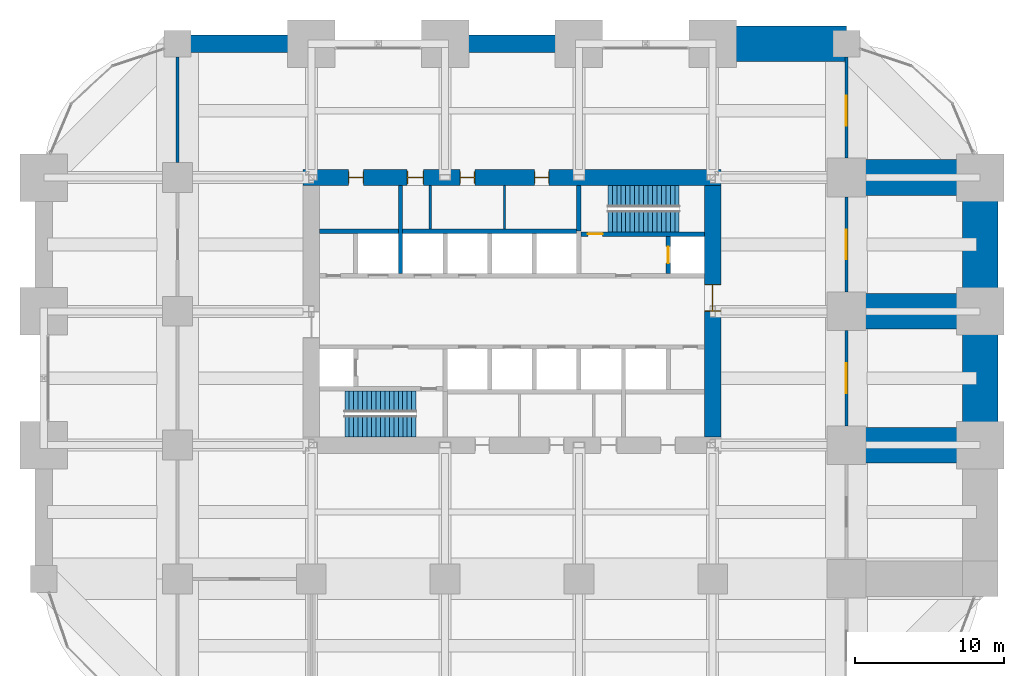
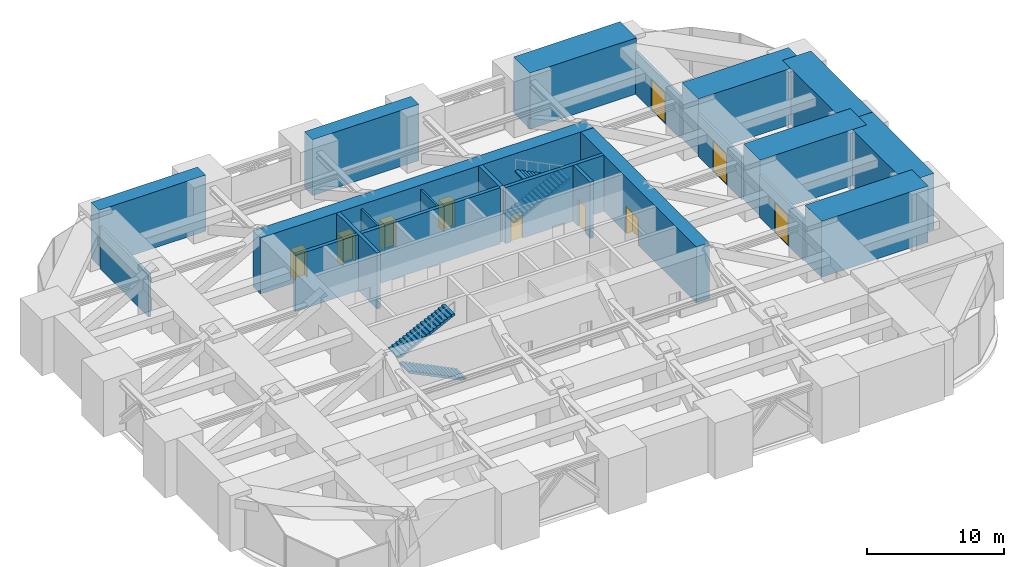
# One storey, part 37 of 38: 21 walls, 10 doors, 4 stair flights, 10 openings, 2 elements without a shape of their own.
"""IFC4 building model written with IfcOpenShell, lengths in metres."""

from ifc_helpers import new_model, si_unit, direction, frame, frame_2d, origin, place, context, subcontext, project, spatial, polyline, rectangle, outline, extrude, material, layer, layer_set, type_object, element, fill, aggregate, save


model = new_model("IFC4")

# Units and contexts
model_context = context("Model", 3, precision=1e-05, world=origin(), true_north=direction((0.0, 1.0)))
body_context = subcontext(model_context, "Body", "Model", "MODEL_VIEW")
ifc_project = project(units=[si_unit("LENGTHUNIT", "METRE"), si_unit("AREAUNIT", "SQUARE_METRE"), si_unit("VOLUMEUNIT", "CUBIC_METRE"), si_unit("PLANEANGLEUNIT", "RADIAN"), si_unit("MASSUNIT", "GRAM", prefix="KILO")], contexts=[model_context])

# Site, building, storey
site_placement = place(None, origin())
site = spatial("IfcSite", under=ifc_project, at=site_placement, CompositionType="ELEMENT")
building_placement = place(site_placement, origin())
building = spatial("IfcBuilding", under=site, at=building_placement, Name="Zorevar Civic Tower", CompositionType="ELEMENT")
storey_placement = place(building_placement, frame((0.0, 0.0, 157.199951171875)))
storey = spatial("IfcBuildingStorey", under=building, at=storey_placement, Name="L38", CompositionType="ELEMENT", Elevation=157.199951171875)

# Walls
ifc_material_1 = material(Name="Concrete C50/60", Category="concrete")
ifc_layer_1 = layer(ifc_material_1, 1.199951171875)
ifc_layer_set_1 = layer_set([ifc_layer_1], Name="Belt wall 1200")
wall_type_1 = type_object("IfcWallType", Name="Belt wall 1200", PredefinedType="SHEAR", material=ifc_layer_set_1)
for number, where, z_axis, x_axis, name in (
    (1, (9.0, 45.0, 0.0), (0.0, 0.0, 1.0), (1.0, 0.0, 0.0), "Belt wall N L38"),
    (2, (27.0, 45.0, 0.0), (0.0, 0.0, 1.0), (1.0, 0.0, 0.0), "Belt wall N L38"),
):
    element("IfcWall", number, at=place(storey_placement, frame(where, z_axis=z_axis, x_axis=x_axis)), inside=storey, type_object=wall_type_1, Name=name, PredefinedType="SHEAR", context=body_context, shape_type="SweptSolid", body=[
        extrude(rectangle(XDim=9.0, YDim=1.199951171875, at=frame_2d((4.5, 0.0))), origin(), (0.0, 0.0, 1.0), 5.0),
    ])
ifc_material_2 = material(Name="Concrete blockwork", Category="masonry")
ifc_layer_2 = layer(ifc_material_2, 0.199951171875)
ifc_layer_set_2 = layer_set([ifc_layer_2], Name="Blockwork wall 200")
wall_type_2 = type_object("IfcWallType", Name="Blockwork wall 200", PredefinedType="SOLIDWALL", material=ifc_layer_set_2)
wall_1_placement = place(storey_placement, frame((9.0, 37.0, 0.0), z_axis=(0.0, 0.0, 1.0), x_axis=(0.0, 1.0, 0.0)))
element("IfcWall", 3, at=wall_1_placement, inside=storey, type_object=wall_type_2, Name="Blockwork wall 200 L38", PredefinedType="SOLIDWALL", context=body_context, shape_type="SweptSolid", body=[
    extrude(rectangle(XDim=7.10009765625, YDim=0.199951171875, at=frame_2d((3.550048828125, 0.0))), origin(), (0.0, 0.0, 1.0), 3.800048828125),
])

# Wall, opening, door
wall_2_placement = place(storey_placement, frame((54.0, 19.300048828125, 0.0), z_axis=(0.0, 0.0, 1.0), x_axis=(0.0, 1.0, 0.0)))
wall_2 = element("IfcWall", 4, at=wall_2_placement, inside=storey, type_object=wall_type_2, Name="Blockwork wall 200 L38", PredefinedType="SOLIDWALL", context=body_context, shape_type="SweptSolid", body=[
    extrude(rectangle(XDim=6.39990234375, YDim=0.199951171875, at=frame_2d((3.199951171875, 0.0))), origin(), (0.0, 0.0, 1.0), 3.800048828125),
])
opening_1_placement = place(wall_2_placement, frame((2.199951171875, 0.0, 0.0)))
opening_1 = element("IfcOpeningElement", 5, at=opening_1_placement, cuts=wall_2, Name="Opening L38.20", PredefinedType="OPENING", context=body_context, shape_type="SweptSolid", body=[
    extrude(rectangle(XDim=2.0, YDim=2.699951171875, at=frame_2d((1.0, 1.35009765625))), frame((0.0, 0.10986328125, 0.0), z_axis=(0.0, -1.0, 0.0), x_axis=(1.0, 0.0, 0.0)), (0.0, 0.0, 1.0), 0.219970703125),
])
ifc_material_3 = material(Name="Steel door set", Category="steel")
door_type_1 = type_object("IfcDoorType", Name="Plant room door PD1 2000x2700", OperationType="DOUBLE_DOOR_SINGLE_SWING", PredefinedType="DOOR", material=ifc_material_3)
door_1_placement = place(opening_1_placement, origin())
door_1 = element("IfcDoor", 6, at=door_1_placement, inside=storey, type_object=door_type_1, Name="Door L38 D12", OperationType="DOUBLE_DOOR_SINGLE_SWING", OverallHeight=2.699951171875, OverallWidth=2.0, PredefinedType="DOOR", context=body_context, shape_type="SweptSolid", body=[
    extrude(rectangle(XDim=2.0, YDim=2.699951171875, at=frame_2d((1.0, 1.35009765625))), frame((0.0, 0.030029296875, 0.0), z_axis=(0.0, -1.0, 0.0), x_axis=(1.0, 0.0, 0.0)), (0.0, 0.0, 1.0), 0.06005859375),
])
fill(opening_1, door_1)

wall_3_placement = place(storey_placement, frame((54.0, 28.300048828125, 0.0), z_axis=(0.0, 0.0, 1.0), x_axis=(0.0, 1.0, 0.0)))
wall_3 = element("IfcWall", 7, at=wall_3_placement, inside=storey, type_object=wall_type_2, Name="Blockwork wall 200 L38", PredefinedType="SOLIDWALL", context=body_context, shape_type="SweptSolid", body=[
    extrude(rectangle(XDim=6.39990234375, YDim=0.199951171875, at=frame_2d((3.199951171875, 0.0))), origin(), (0.0, 0.0, 1.0), 3.800048828125),
])
opening_2_placement = place(wall_3_placement, frame((2.199951171875, 0.0, 0.0)))
opening_2 = element("IfcOpeningElement", 8, at=opening_2_placement, cuts=wall_3, Name="Opening L38.21", PredefinedType="OPENING", context=body_context, shape_type="SweptSolid", body=[
    extrude(rectangle(XDim=2.0, YDim=2.699951171875, at=frame_2d((1.0, 1.35009765625))), frame((0.0, 0.10986328125, 0.0), z_axis=(0.0, -1.0, 0.0), x_axis=(1.0, 0.0, 0.0)), (0.0, 0.0, 1.0), 0.219970703125),
])
door_2_placement = place(opening_2_placement, origin())
door_2 = element("IfcDoor", 9, at=door_2_placement, inside=storey, type_object=door_type_1, Name="Door L38 D13", OperationType="DOUBLE_DOOR_SINGLE_SWING", OverallHeight=2.699951171875, OverallWidth=2.0, PredefinedType="DOOR", context=body_context, shape_type="SweptSolid", body=[
    extrude(rectangle(XDim=2.0, YDim=2.699951171875, at=frame_2d((1.0, 1.35009765625))), frame((0.0, 0.030029296875, 0.0), z_axis=(0.0, -1.0, 0.0), x_axis=(1.0, 0.0, 0.0)), (0.0, 0.0, 1.0), 0.06005859375),
])
fill(opening_2, door_2)

wall_4_placement = place(storey_placement, frame((54.0, 37.300048828125, 0.0), z_axis=(0.0, 0.0, 1.0), x_axis=(0.0, 1.0, 0.0)))
wall_4 = element("IfcWall", 10, at=wall_4_placement, inside=storey, type_object=wall_type_2, Name="Blockwork wall 200 L38", PredefinedType="SOLIDWALL", context=body_context, shape_type="SweptSolid", body=[
    extrude(rectangle(XDim=6.800048828125, YDim=0.199951171875, at=frame_2d((3.39990234375, 0.0))), origin(), (0.0, 0.0, 1.0), 3.800048828125),
])
opening_3_placement = place(wall_4_placement, frame((2.199951171875, 0.0, 0.0)))
opening_3 = element("IfcOpeningElement", 11, at=opening_3_placement, cuts=wall_4, Name="Opening L38.22", PredefinedType="OPENING", context=body_context, shape_type="SweptSolid", body=[
    extrude(rectangle(XDim=2.0, YDim=2.699951171875, at=frame_2d((1.0, 1.35009765625))), frame((0.0, 0.10986328125, 0.0), z_axis=(0.0, -1.0, 0.0), x_axis=(1.0, 0.0, 0.0)), (0.0, 0.0, 1.0), 0.219970703125),
])
door_3_placement = place(opening_3_placement, origin())
door_3 = element("IfcDoor", 12, at=door_3_placement, inside=storey, type_object=door_type_1, Name="Door L38 D14", OperationType="DOUBLE_DOOR_SINGLE_SWING", OverallHeight=2.699951171875, OverallWidth=2.0, PredefinedType="DOOR", context=body_context, shape_type="SweptSolid", body=[
    extrude(rectangle(XDim=2.0, YDim=2.699951171875, at=frame_2d((1.0, 1.35009765625))), frame((0.0, 0.030029296875, 0.0), z_axis=(0.0, -1.0, 0.0), x_axis=(1.0, 0.0, 0.0)), (0.0, 0.0, 1.0), 0.06005859375),
])
fill(opening_3, door_3)

# Wall, openings, doors
ifc_material_4 = material(Name="Concrete C50/60", Category="concrete")
ifc_layer_3 = layer(ifc_material_4, 1.10009765625)
ifc_layer_set_3 = layer_set([ifc_layer_3], Name="Core wall 1100")
wall_type_3 = type_object("IfcWallType", Name="Core wall 1100", PredefinedType="SHEAR", material=ifc_layer_set_3)
wall_5_placement = place(storey_placement, frame((45.550048828125, 36.0, 0.0), z_axis=(0.0, 0.0, 1.0), x_axis=(-1.0, 0.0, 0.0)))
wall_5 = element("IfcWall", 13, at=wall_5_placement, inside=storey, type_object=wall_type_3, Name="Core wall N L38", PredefinedType="SHEAR", context=body_context, shape_type="SweptSolid", body=[
    extrude(rectangle(XDim=28.10009765625, YDim=1.10009765625, at=frame_2d((14.050048828125, 0.0))), origin(), (0.0, 0.0, 1.0), 5.0),
])
opening_4_placement = place(wall_5_placement, frame((11.550048828125, 0.0, 0.0)))
opening_4 = element("IfcOpeningElement", 14, at=opening_4_placement, cuts=wall_5, Name="Opening L38.07", PredefinedType="OPENING", context=body_context, shape_type="SweptSolid", body=[
    extrude(rectangle(XDim=1.0, YDim=2.39990234375, at=frame_2d((0.5, 1.199951171875))), frame((0.0, 0.56005859375, 0.0), z_axis=(0.0, -1.0, 0.0), x_axis=(1.0, 0.0, 0.0)), (0.0, 0.0, 1.0), 1.1201171875),
])
opening_5_placement = place(wall_5_placement, frame((16.550048828125, 0.0, 0.0)))
opening_5 = element("IfcOpeningElement", 15, at=opening_5_placement, cuts=wall_5, Name="Opening L38.08", PredefinedType="OPENING", context=body_context, shape_type="SweptSolid", body=[
    extrude(rectangle(XDim=1.0, YDim=2.39990234375, at=frame_2d((0.5, 1.199951171875))), frame((0.0, 0.56005859375, 0.0), z_axis=(0.0, -1.0, 0.0), x_axis=(1.0, 0.0, 0.0)), (0.0, 0.0, 1.0), 1.1201171875),
])
opening_6_placement = place(wall_5_placement, frame((20.0, 0.0, 0.0)))
opening_6 = element("IfcOpeningElement", 16, at=opening_6_placement, cuts=wall_5, Name="Opening L38.09", PredefinedType="OPENING", context=body_context, shape_type="SweptSolid", body=[
    extrude(rectangle(XDim=1.10009765625, YDim=2.39990234375, at=frame_2d((0.550048828125, 1.199951171875))), frame((0.0, 0.56005859375, 0.0), z_axis=(0.0, -1.0, 0.0), x_axis=(1.0, 0.0, 0.0)), (0.0, 0.0, 1.0), 1.1201171875),
])
opening_7_placement = place(wall_5_placement, frame((24.050048828125, 0.0, 0.0)))
opening_7 = element("IfcOpeningElement", 17, at=opening_7_placement, cuts=wall_5, Name="Opening L38.10", PredefinedType="OPENING", context=body_context, shape_type="SweptSolid", body=[
    extrude(rectangle(XDim=1.0, YDim=2.39990234375, at=frame_2d((0.5, 1.199951171875))), frame((0.0, 0.56005859375, 0.0), z_axis=(0.0, -1.0, 0.0), x_axis=(1.0, 0.0, 0.0)), (0.0, 0.0, 1.0), 1.1201171875),
])
ifc_material_5 = material(Name="Timber door set", Category="wood")
door_type_2 = type_object("IfcDoorType", Name="Door D1 1000x2400", OperationType="SINGLE_SWING_LEFT", PredefinedType="DOOR", material=ifc_material_5)
door_4_placement = place(opening_4_placement, origin())
door_4 = element("IfcDoor", 18, at=door_4_placement, inside=storey, type_object=door_type_2, Name="Door L38 06", OperationType="SINGLE_SWING_LEFT", OverallHeight=2.39990234375, OverallWidth=1.0, PredefinedType="DOOR", context=body_context, shape_type="SweptSolid", body=[
    extrude(rectangle(XDim=1.0, YDim=2.39990234375, at=frame_2d((0.5, 1.199951171875))), frame((0.0, 0.02490234375, 0.0), z_axis=(0.0, -1.0, 0.0), x_axis=(1.0, 0.0, 0.0)), (0.0, 0.0, 1.0), 0.050048828125),
    extrude(rectangle(XDim=0.04, YDim=2.39990234375, at=frame_2d((0.02001953125, 1.199951171875))), frame((0.0, 0.39990234375, 0.0), z_axis=(0.0, -1.0, 0.0), x_axis=(1.0, 0.0, 0.0)), (0.0, 0.0, 1.0), 0.800048828125),
    extrude(rectangle(XDim=0.04, YDim=2.39990234375, at=frame_2d((0.97998046875, 1.199951171875))), frame((0.0, 0.39990234375, 0.0), z_axis=(0.0, -1.0, 0.0), x_axis=(1.0, 0.0, 0.0)), (0.0, 0.0, 1.0), 0.800048828125),
    extrude(rectangle(XDim=1.0, YDim=0.04, at=frame_2d((0.5, 2.3798828125))), frame((0.0, 0.39990234375, 0.0), z_axis=(0.0, -1.0, 0.0), x_axis=(1.0, 0.0, 0.0)), (0.0, 0.0, 1.0), 0.800048828125),
])
fill(opening_4, door_4)
door_5_placement = place(opening_5_placement, origin())
door_5 = element("IfcDoor", 19, at=door_5_placement, inside=storey, type_object=door_type_2, Name="Door L38 07", OperationType="SINGLE_SWING_RIGHT", OverallHeight=2.39990234375, OverallWidth=1.0, PredefinedType="DOOR", context=body_context, shape_type="SweptSolid", body=[
    extrude(rectangle(XDim=1.0, YDim=2.39990234375, at=frame_2d((0.5, 1.199951171875))), frame((0.0, 0.02490234375, 0.0), z_axis=(0.0, -1.0, 0.0), x_axis=(1.0, 0.0, 0.0)), (0.0, 0.0, 1.0), 0.050048828125),
    extrude(rectangle(XDim=0.04, YDim=2.39990234375, at=frame_2d((0.02001953125, 1.199951171875))), frame((0.0, 0.39990234375, 0.0), z_axis=(0.0, -1.0, 0.0), x_axis=(1.0, 0.0, 0.0)), (0.0, 0.0, 1.0), 0.800048828125),
    extrude(rectangle(XDim=0.04, YDim=2.39990234375, at=frame_2d((0.97998046875, 1.199951171875))), frame((0.0, 0.39990234375, 0.0), z_axis=(0.0, -1.0, 0.0), x_axis=(1.0, 0.0, 0.0)), (0.0, 0.0, 1.0), 0.800048828125),
    extrude(rectangle(XDim=1.0, YDim=0.04, at=frame_2d((0.5, 2.3798828125))), frame((0.0, 0.39990234375, 0.0), z_axis=(0.0, -1.0, 0.0), x_axis=(1.0, 0.0, 0.0)), (0.0, 0.0, 1.0), 0.800048828125),
])
fill(opening_5, door_5)
door_6_placement = place(opening_7_placement, origin())
door_6 = element("IfcDoor", 20, at=door_6_placement, inside=storey, type_object=door_type_2, Name="Door L38 09", OperationType="SINGLE_SWING_RIGHT", OverallHeight=2.39990234375, OverallWidth=1.0, PredefinedType="DOOR", context=body_context, shape_type="SweptSolid", body=[
    extrude(rectangle(XDim=1.0, YDim=2.39990234375, at=frame_2d((0.5, 1.199951171875))), frame((0.0, 0.02490234375, 0.0), z_axis=(0.0, -1.0, 0.0), x_axis=(1.0, 0.0, 0.0)), (0.0, 0.0, 1.0), 0.050048828125),
    extrude(rectangle(XDim=0.04, YDim=2.39990234375, at=frame_2d((0.02001953125, 1.199951171875))), frame((0.0, 0.39990234375, 0.0), z_axis=(0.0, -1.0, 0.0), x_axis=(1.0, 0.0, 0.0)), (0.0, 0.0, 1.0), 0.800048828125),
    extrude(rectangle(XDim=0.04, YDim=2.39990234375, at=frame_2d((0.97998046875, 1.199951171875))), frame((0.0, 0.39990234375, 0.0), z_axis=(0.0, -1.0, 0.0), x_axis=(1.0, 0.0, 0.0)), (0.0, 0.0, 1.0), 0.800048828125),
    extrude(rectangle(XDim=1.0, YDim=0.04, at=frame_2d((0.5, 2.3798828125))), frame((0.0, 0.39990234375, 0.0), z_axis=(0.0, -1.0, 0.0), x_axis=(1.0, 0.0, 0.0)), (0.0, 0.0, 1.0), 0.800048828125),
])
fill(opening_7, door_6)
ifc_material_6 = material(Name="Timber door set", Category="wood")
door_type_3 = type_object("IfcDoorType", Name="Door D5 1100x2400", OperationType="SINGLE_SWING_LEFT", PredefinedType="DOOR", material=ifc_material_6)
door_7_placement = place(opening_6_placement, origin())
door_7 = element("IfcDoor", 21, at=door_7_placement, inside=storey, type_object=door_type_3, Name="Door L38 08", OperationType="SINGLE_SWING_RIGHT", OverallHeight=2.39990234375, OverallWidth=1.10009765625, PredefinedType="DOOR", context=body_context, shape_type="SweptSolid", body=[
    extrude(rectangle(XDim=1.10009765625, YDim=2.39990234375, at=frame_2d((0.550048828125, 1.199951171875))), frame((0.0, 0.02490234375, 0.0), z_axis=(0.0, -1.0, 0.0), x_axis=(1.0, 0.0, 0.0)), (0.0, 0.0, 1.0), 0.050048828125),
    extrude(rectangle(XDim=0.04, YDim=2.39990234375, at=frame_2d((0.02001953125, 1.199951171875))), frame((0.0, 0.43994140625, 0.0), z_axis=(0.0, -1.0, 0.0), x_axis=(1.0, 0.0, 0.0)), (0.0, 0.0, 1.0), 0.880126953125),
    extrude(rectangle(XDim=0.04, YDim=2.39990234375, at=frame_2d((1.080078125, 1.199951171875))), frame((0.0, 0.43994140625, 0.0), z_axis=(0.0, -1.0, 0.0), x_axis=(1.0, 0.0, 0.0)), (0.0, 0.0, 1.0), 0.880126953125),
    extrude(rectangle(XDim=1.10009765625, YDim=0.04, at=frame_2d((0.550048828125, 2.3798828125))), frame((0.0, 0.43994140625, 0.0), z_axis=(0.0, -1.0, 0.0), x_axis=(1.0, 0.0, 0.0)), (0.0, 0.0, 1.0), 0.880126953125),
])
fill(opening_6, door_7)

# Wall, opening, door
wall_6_placement = place(storey_placement, frame((45.0, 18.550048828125, 0.0), z_axis=(0.0, 0.0, 1.0), x_axis=(0.0, 1.0, 0.0)))
wall_6 = element("IfcWall", 22, at=wall_6_placement, inside=storey, type_object=wall_type_3, Name="Core wall E L38", PredefinedType="SHEAR", context=body_context, shape_type="SweptSolid", body=[
    extrude(rectangle(XDim=16.89990234375, YDim=1.10009765625, at=frame_2d((8.449951171875, 0.0))), origin(), (0.0, 0.0, 1.0), 5.0),
])
opening_8_placement = place(wall_6_placement, frame((8.449951171875, 0.0, 0.0)))
opening_8 = element("IfcOpeningElement", 23, at=opening_8_placement, cuts=wall_6, Name="Opening L38.02", PredefinedType="OPENING", context=body_context, shape_type="SweptSolid", body=[
    extrude(rectangle(XDim=1.800048828125, YDim=2.39990234375, at=frame_2d((0.89990234375, 1.199951171875))), frame((0.0, 0.56005859375, 0.0), z_axis=(0.0, -1.0, 0.0), x_axis=(1.0, 0.0, 0.0)), (0.0, 0.0, 1.0), 1.1201171875),
])
ifc_material_7 = material(Name="Steel door set", Category="steel")
door_type_4 = type_object("IfcDoorType", Name="Fire door FD2 1800x2400", OperationType="DOUBLE_DOOR_DOUBLE_SWING", PredefinedType="DOOR", material=ifc_material_7)
door_8_placement = place(opening_8_placement, origin())
door_8 = element("IfcDoor", 24, at=door_8_placement, inside=storey, type_object=door_type_4, Name="Door L38 01", OperationType="DOUBLE_DOOR_DOUBLE_SWING", OverallHeight=2.39990234375, OverallWidth=1.800048828125, PredefinedType="DOOR", context=body_context, shape_type="SweptSolid", body=[
    extrude(rectangle(XDim=1.800048828125, YDim=2.39990234375, at=frame_2d((0.89990234375, 1.199951171875))), frame((0.0, 0.030029296875, 0.0), z_axis=(0.0, -1.0, 0.0), x_axis=(1.0, 0.0, 0.0)), (0.0, 0.0, 1.0), 0.06005859375),
    extrude(rectangle(XDim=0.04, YDim=2.39990234375, at=frame_2d((0.02001953125, 1.199951171875))), frame((0.0, 0.5498046875, 0.0), z_axis=(0.0, -1.0, 0.0), x_axis=(1.0, 0.0, 0.0)), (0.0, 0.0, 1.0), 1.099609375),
    extrude(rectangle(XDim=0.04, YDim=2.39990234375, at=frame_2d((1.780029296875, 1.199951171875))), frame((0.0, 0.5498046875, 0.0), z_axis=(0.0, -1.0, 0.0), x_axis=(1.0, 0.0, 0.0)), (0.0, 0.0, 1.0), 1.099609375),
    extrude(rectangle(XDim=1.800048828125, YDim=0.04, at=frame_2d((0.89990234375, 2.3798828125))), frame((0.0, 0.5498046875, 0.0), z_axis=(0.0, -1.0, 0.0), x_axis=(1.0, 0.0, 0.0)), (0.0, 0.0, 1.0), 1.099609375),
])
fill(opening_8, door_8)

ifc_material_8 = material(Name="Concrete C40/50", Category="concrete")
ifc_layer_4 = layer(ifc_material_8, 0.300048828125)
ifc_layer_set_4 = layer_set([ifc_layer_4], Name="Inner core wall 300")
wall_type_4 = type_object("IfcWallType", Name="Inner core wall 300", PredefinedType="SHEAR", material=ifc_layer_set_4)
wall_7_placement = place(storey_placement, frame((36.14990234375, 32.199951171875, 0.0), z_axis=(0.0, 0.0, 1.0), x_axis=(1.0, 0.0, 0.0)))
wall_7 = element("IfcWall", 25, at=wall_7_placement, inside=storey, type_object=wall_type_4, Name="Inner core wall N00 L38", PredefinedType="SHEAR", context=body_context, shape_type="SweptSolid", body=[
    extrude(rectangle(XDim=8.300048828125, YDim=0.300048828125, at=frame_2d((4.14990234375, 0.0))), origin(), (0.0, 0.0, 1.0), 5.0),
])
opening_9_placement = place(wall_7_placement, frame((0.449951171875, 0.0, 0.0)))
opening_9 = element("IfcOpeningElement", 26, at=opening_9_placement, cuts=wall_7, Name="Opening L38.12", PredefinedType="OPENING", context=body_context, shape_type="SweptSolid", body=[
    extrude(rectangle(XDim=1.0, YDim=2.39990234375, at=frame_2d((0.5, 1.199951171875))), frame((0.0, 0.159912109375, 0.0), z_axis=(0.0, -1.0, 0.0), x_axis=(1.0, 0.0, 0.0)), (0.0, 0.0, 1.0), 0.320068359375),
])
ifc_material_9 = material(Name="Steel door set", Category="steel")
door_type_5 = type_object("IfcDoorType", Name="Fire door FD1 1000x2400", OperationType="SINGLE_SWING_LEFT", PredefinedType="DOOR", material=ifc_material_9)
door_9_placement = place(opening_9_placement, origin())
door_9 = element("IfcDoor", 27, at=door_9_placement, inside=storey, type_object=door_type_5, Name="Door L38 11", OperationType="SINGLE_SWING_RIGHT", OverallHeight=2.39990234375, OverallWidth=1.0, PredefinedType="DOOR", context=body_context, shape_type="SweptSolid", body=[
    extrude(rectangle(XDim=1.0, YDim=2.39990234375, at=frame_2d((0.5, 1.199951171875))), frame((0.0, 0.030029296875, 0.0), z_axis=(0.0, -1.0, 0.0), x_axis=(1.0, 0.0, 0.0)), (0.0, 0.0, 1.0), 0.06005859375),
])
fill(opening_9, door_9)

# Wall
wall_8_placement = place(storey_placement, frame((36.0, 32.39990234375, 0.0), z_axis=(0.0, 0.0, 1.0), x_axis=(0.0, 1.0, 0.0)))
element("IfcWall", 28, at=wall_8_placement, inside=storey, type_object=wall_type_4, Name="Inner core wall N01 L38", PredefinedType="SHEAR", context=body_context, shape_type="SweptSolid", body=[
    extrude(rectangle(XDim=3.050048828125, YDim=0.300048828125, at=frame_2d((1.52490234375, 0.0))), origin(), (0.0, 0.0, 1.0), 5.0),
])

# Wall, opening, door
wall_9_placement = place(storey_placement, frame((42.0, 29.550048828125, 0.0), z_axis=(0.0, 0.0, 1.0), x_axis=(0.0, 1.0, 0.0)))
wall_9 = element("IfcWall", 29, at=wall_9_placement, inside=storey, type_object=wall_type_4, Name="Inner core wall N02 L38", PredefinedType="SHEAR", context=body_context, shape_type="SweptSolid", body=[
    extrude(rectangle(XDim=2.5, YDim=0.300048828125, at=frame_2d((1.25, 0.0))), origin(), (0.0, 0.0, 1.0), 5.0),
])
opening_10_placement = place(wall_9_placement, frame((0.699951171875, 0.0, 0.0)))
opening_10 = element("IfcOpeningElement", 30, at=opening_10_placement, cuts=wall_9, Name="Opening L38.FL2", PredefinedType="OPENING", context=body_context, shape_type="SweptSolid", body=[
    extrude(rectangle(XDim=1.10009765625, YDim=2.39990234375, at=frame_2d((0.550048828125, 1.199951171875))), frame((0.0, 0.159912109375, 0.0), z_axis=(0.0, -1.0, 0.0), x_axis=(1.0, 0.0, 0.0)), (0.0, 0.0, 1.0), 0.320068359375),
])
ifc_material_10 = material(Name="Steel door set", Category="steel")
door_type_6 = type_object("IfcDoorType", Name="Firefighting lift landing door LD3 1100x2400", OperationType="DOUBLE_DOOR_SLIDING", PredefinedType="DOOR", material=ifc_material_10)
door_10_placement = place(opening_10_placement, origin())
door_10 = element("IfcDoor", 31, at=door_10_placement, inside=storey, type_object=door_type_6, Name="Landing door FL2 L38", OperationType="DOUBLE_DOOR_SLIDING", OverallHeight=2.39990234375, OverallWidth=1.10009765625, PredefinedType="DOOR", context=body_context, shape_type="SweptSolid", body=[
    extrude(rectangle(XDim=1.10009765625, YDim=2.39990234375, at=frame_2d((0.550048828125, 1.199951171875))), frame((0.0, 0.030029296875, 0.0), z_axis=(0.0, -1.0, 0.0), x_axis=(1.0, 0.0, 0.0)), (0.0, 0.0, 1.0), 0.06005859375),
])
fill(opening_10, door_10)

# Walls
wall_10_placement = place(storey_placement, frame((18.550048828125, 32.39990234375, 0.0), z_axis=(0.0, 0.0, 1.0), x_axis=(1.0, 0.0, 0.0)))
element("IfcWall", 32, at=wall_10_placement, inside=storey, type_object=wall_type_4, Name="Inner core wall N04 L38", PredefinedType="SHEAR", context=body_context, shape_type="SweptSolid", body=[
    extrude(rectangle(XDim=17.300048828125, YDim=0.300048828125, at=frame_2d((8.64990234375, 0.0))), origin(), (0.0, 0.0, 1.0), 5.0),
])
wall_11_placement = place(storey_placement, frame((24.0, 29.550048828125, 0.0), z_axis=(0.0, 0.0, 1.0), x_axis=(0.0, 1.0, 0.0)))
element("IfcWall", 33, at=wall_11_placement, inside=storey, type_object=wall_type_4, Name="Inner core wall N08 L38", PredefinedType="SHEAR", context=body_context, shape_type="SweptSolid", body=[
    extrude(rectangle(XDim=5.89990234375, YDim=0.300048828125, at=frame_2d((2.949951171875, 0.0))), origin(), (0.0, 0.0, 1.0), 5.0),
])
ifc_material_11 = material(Name="Concrete C50/60", Category="concrete")
ifc_layer_5 = layer(ifc_material_11, 2.39990234375)
ifc_layer_set_5 = layer_set([ifc_layer_5], Name="Setback tie wall 2400")
wall_type_5 = type_object("IfcWallType", Name="Setback tie wall 2400", PredefinedType="SHEAR", material=ifc_layer_set_5)
for number, where, z_axis, x_axis, name in (
    (34, (45.0, 45.0, 0.0), (0.0, 0.0, 1.0), (1.0, 0.0, 0.0), "Setback belt wall N L38"),
    (35, (63.0, 18.0, 0.0), (0.0, 0.0, 1.0), (0.0, 1.0, 0.0), "Setback belt wall E L38"),
    (36, (63.0, 27.0, 0.0), (0.0, 0.0, 1.0), (0.0, 1.0, 0.0), "Setback belt wall E L38"),
    (37, (54.0, 18.0, 0.0), (0.0, 0.0, 1.0), (1.0, 0.0, 0.0), "Setback tie wall L38"),
    (38, (54.0, 27.0, 0.0), (0.0, 0.0, 1.0), (1.0, 0.0, 0.0), "Setback tie wall L38"),
    (39, (54.0, 36.0, 0.0), (0.0, 0.0, 1.0), (1.0, 0.0, 0.0), "Setback tie wall L38"),
):
    element("IfcWall", number, at=place(storey_placement, frame(where, z_axis=z_axis, x_axis=x_axis)), inside=storey, type_object=wall_type_5, Name=name, PredefinedType="SHEAR", context=body_context, shape_type="SweptSolid", body=[
        extrude(rectangle(XDim=9.0, YDim=2.39990234375, at=frame_2d((4.5, 0.0))), origin(), (0.0, 0.0, 1.0), 5.0),
    ])
ifc_material_12 = material(Name="Gypsum board on steel studs, moisture resistant", Category="steel")
ifc_layer_6 = layer(ifc_material_12, 0.14990234375)
ifc_layer_set_6 = layer_set([ifc_layer_6], Name="WC partition 150")
wall_type_6 = type_object("IfcWallType", Name="WC partition 150", PredefinedType="PARTITIONING", material=ifc_layer_set_6)
for number, where, z_axis, x_axis, name in (
    (40, (31.0, 32.550048828125, 0.0), (0.0, 0.0, 1.0), (0.0, 1.0, 0.0), "WC partition L38"),
    (41, (26.0, 32.550048828125, 0.0), (0.0, 0.0, 1.0), (0.0, 1.0, 0.0), "WC partition L38"),
):
    element("IfcWall", number, at=place(storey_placement, frame(where, z_axis=z_axis, x_axis=x_axis)), inside=storey, type_object=wall_type_6, Name=name, PredefinedType="PARTITIONING", context=body_context, shape_type="SweptSolid", body=[
        extrude(rectangle(XDim=2.89990234375, YDim=0.14990234375, at=frame_2d((1.449951171875, 0.0))), origin(), (0.0, 0.0, 1.0), 4.60009765625),
    ])

# Stair, stair flights
ifc_material_13 = material(Name="Precast concrete C40/50", Category="concrete")
stair_type = type_object("IfcStairType", Name="Stair ST 34R", PredefinedType="HALF_TURN_STAIR", material=ifc_material_13)
stair_1_placement = place(storey_placement, origin())
stair_1 = element("IfcStair", 42, at=stair_1_placement, inside=storey, type_object=stair_type, Name="Stair ST1 L38", PredefinedType="HALF_TURN_STAIR")
ifc_material_14 = material(Name="Precast concrete C40/50", Category="concrete")
stair_flight_type = type_object("IfcStairFlightType", Name="Stair flight", PredefinedType="STRAIGHT", material=ifc_material_14)
stair_flight_1_placement = place(storey_placement, frame((25.050048828125, 19.262451171875, 0.0), z_axis=(0.0, 0.0, 1.0), x_axis=(-1.0, 0.0, 0.0)))
stair_flight_1 = element("IfcStairFlight", 43, at=stair_flight_1_placement, type_object=stair_flight_type, Name="ST1 flight 1", NumberOfRisers=17, NumberOfTreads=16, PredefinedType="STRAIGHT", RiserHeight=0.147058824, TreadLength=0.3, context=body_context, shape_type="SweptSolid", body=[
    extrude(outline(polyline([(0.0, 0.0), (0.0, 0.14697265625), (0.300048828125, 0.14697265625), (0.300048828125, 0.294189453125), (0.60009765625, 0.294189453125), (0.60009765625, 0.441162109375), (0.89990234375, 0.441162109375), (0.89990234375, 0.588134765625), (1.199951171875, 0.588134765625), (1.199951171875, 0.7353515625), (1.5, 0.7353515625), (1.5, 0.88232421875), (1.800048828125, 0.88232421875), (1.800048828125, 1.029296875), (2.10009765625, 1.029296875), (2.10009765625, 1.176513671875), (2.39990234375, 1.176513671875), (2.39990234375, 1.323486328125), (2.699951171875, 1.323486328125), (2.699951171875, 1.470703125), (3.0, 1.470703125), (3.0, 1.61767578125), (3.300048828125, 1.61767578125), (3.300048828125, 1.7646484375), (3.60009765625, 1.7646484375), (3.60009765625, 1.911865234375), (3.89990234375, 1.911865234375), (3.89990234375, 2.058837890625), (4.199951171875, 2.058837890625), (4.199951171875, 2.205810546875), (4.5, 2.205810546875), (4.5, 2.35302734375), (4.800048828125, 2.35302734375), (4.800048828125, 2.5), (4.800048828125, 2.18603515625), (0.340576171875, 0.0), (0.0, 0.0)])), frame((0.0, 0.71240234375, 0.0), z_axis=(0.0, -1.0, 0.0), x_axis=(1.0, 0.0, 0.0)), (0.0, 0.0, 1.0), 1.425048828125),
])
stair_flight_2_placement = place(storey_placement, frame((20.25, 20.9375, 2.5), z_axis=(0.0, 0.0, 1.0), x_axis=(1.0, 0.0, 0.0)))
stair_flight_2 = element("IfcStairFlight", 44, at=stair_flight_2_placement, type_object=stair_flight_type, Name="ST1 flight 2", NumberOfRisers=17, NumberOfTreads=16, PredefinedType="STRAIGHT", RiserHeight=0.147058824, TreadLength=0.3, context=body_context, shape_type="SweptSolid", body=[
    extrude(outline(polyline([(0.0, 0.0), (0.0, 0.14697265625), (0.300048828125, 0.14697265625), (0.300048828125, 0.294189453125), (0.60009765625, 0.294189453125), (0.60009765625, 0.441162109375), (0.89990234375, 0.441162109375), (0.89990234375, 0.588134765625), (1.199951171875, 0.588134765625), (1.199951171875, 0.7353515625), (1.5, 0.7353515625), (1.5, 0.88232421875), (1.800048828125, 0.88232421875), (1.800048828125, 1.029296875), (2.10009765625, 1.029296875), (2.10009765625, 1.176513671875), (2.39990234375, 1.176513671875), (2.39990234375, 1.323486328125), (2.699951171875, 1.323486328125), (2.699951171875, 1.470703125), (3.0, 1.470703125), (3.0, 1.61767578125), (3.300048828125, 1.61767578125), (3.300048828125, 1.7646484375), (3.60009765625, 1.7646484375), (3.60009765625, 1.911865234375), (3.89990234375, 1.911865234375), (3.89990234375, 2.058837890625), (4.199951171875, 2.058837890625), (4.199951171875, 2.205810546875), (4.5, 2.205810546875), (4.5, 2.35302734375), (4.800048828125, 2.35302734375), (4.800048828125, 2.5), (4.800048828125, 2.18603515625), (0.340576171875, 0.0), (0.0, 0.0)])), frame((0.0, 0.71240234375, 0.0), z_axis=(0.0, -1.0, 0.0), x_axis=(1.0, 0.0, 0.0)), (0.0, 0.0, 1.0), 1.425048828125),
])
aggregate(stair_1, [stair_flight_1, stair_flight_2])

stair_2_placement = place(storey_placement, origin())
stair_2 = element("IfcStair", 45, at=stair_2_placement, inside=storey, type_object=stair_type, Name="Stair ST2 L38", PredefinedType="HALF_TURN_STAIR")
stair_flight_3_placement = place(storey_placement, frame((37.949951171875, 34.737548828125, 0.0), z_axis=(0.0, 0.0, 1.0), x_axis=(1.0, 0.0, 0.0)))
stair_flight_3 = element("IfcStairFlight", 46, at=stair_flight_3_placement, type_object=stair_flight_type, Name="ST2 flight 1", NumberOfRisers=17, NumberOfTreads=16, PredefinedType="STRAIGHT", RiserHeight=0.147058824, TreadLength=0.3, context=body_context, shape_type="SweptSolid", body=[
    extrude(outline(polyline([(0.0, 0.0), (0.0, 0.14697265625), (0.300048828125, 0.14697265625), (0.300048828125, 0.294189453125), (0.60009765625, 0.294189453125), (0.60009765625, 0.441162109375), (0.89990234375, 0.441162109375), (0.89990234375, 0.588134765625), (1.199951171875, 0.588134765625), (1.199951171875, 0.7353515625), (1.5, 0.7353515625), (1.5, 0.88232421875), (1.800048828125, 0.88232421875), (1.800048828125, 1.029296875), (2.10009765625, 1.029296875), (2.10009765625, 1.176513671875), (2.39990234375, 1.176513671875), (2.39990234375, 1.323486328125), (2.699951171875, 1.323486328125), (2.699951171875, 1.470703125), (3.0, 1.470703125), (3.0, 1.61767578125), (3.300048828125, 1.61767578125), (3.300048828125, 1.7646484375), (3.60009765625, 1.7646484375), (3.60009765625, 1.911865234375), (3.89990234375, 1.911865234375), (3.89990234375, 2.058837890625), (4.199951171875, 2.058837890625), (4.199951171875, 2.205810546875), (4.5, 2.205810546875), (4.5, 2.35302734375), (4.800048828125, 2.35302734375), (4.800048828125, 2.5), (4.800048828125, 2.18603515625), (0.340576171875, 0.0), (0.0, 0.0)])), frame((0.0, 0.71240234375, 0.0), z_axis=(0.0, -1.0, 0.0), x_axis=(1.0, 0.0, 0.0)), (0.0, 0.0, 1.0), 1.425048828125),
])
stair_flight_4_placement = place(storey_placement, frame((42.75, 33.0625, 2.5), z_axis=(0.0, 0.0, 1.0), x_axis=(-1.0, 0.0, 0.0)))
stair_flight_4 = element("IfcStairFlight", 47, at=stair_flight_4_placement, type_object=stair_flight_type, Name="ST2 flight 2", NumberOfRisers=17, NumberOfTreads=16, PredefinedType="STRAIGHT", RiserHeight=0.147058824, TreadLength=0.3, context=body_context, shape_type="SweptSolid", body=[
    extrude(outline(polyline([(0.0, 0.0), (0.0, 0.14697265625), (0.300048828125, 0.14697265625), (0.300048828125, 0.294189453125), (0.60009765625, 0.294189453125), (0.60009765625, 0.441162109375), (0.89990234375, 0.441162109375), (0.89990234375, 0.588134765625), (1.199951171875, 0.588134765625), (1.199951171875, 0.7353515625), (1.5, 0.7353515625), (1.5, 0.88232421875), (1.800048828125, 0.88232421875), (1.800048828125, 1.029296875), (2.10009765625, 1.029296875), (2.10009765625, 1.176513671875), (2.39990234375, 1.176513671875), (2.39990234375, 1.323486328125), (2.699951171875, 1.323486328125), (2.699951171875, 1.470703125), (3.0, 1.470703125), (3.0, 1.61767578125), (3.300048828125, 1.61767578125), (3.300048828125, 1.7646484375), (3.60009765625, 1.7646484375), (3.60009765625, 1.911865234375), (3.89990234375, 1.911865234375), (3.89990234375, 2.058837890625), (4.199951171875, 2.058837890625), (4.199951171875, 2.205810546875), (4.5, 2.205810546875), (4.5, 2.35302734375), (4.800048828125, 2.35302734375), (4.800048828125, 2.5), (4.800048828125, 2.18603515625), (0.340576171875, 0.0), (0.0, 0.0)])), frame((0.0, 0.71240234375, 0.0), z_axis=(0.0, -1.0, 0.0), x_axis=(1.0, 0.0, 0.0)), (0.0, 0.0, 1.0), 1.425048828125),
])
aggregate(stair_2, [stair_flight_3, stair_flight_4])

save(model, "model.ifc")
